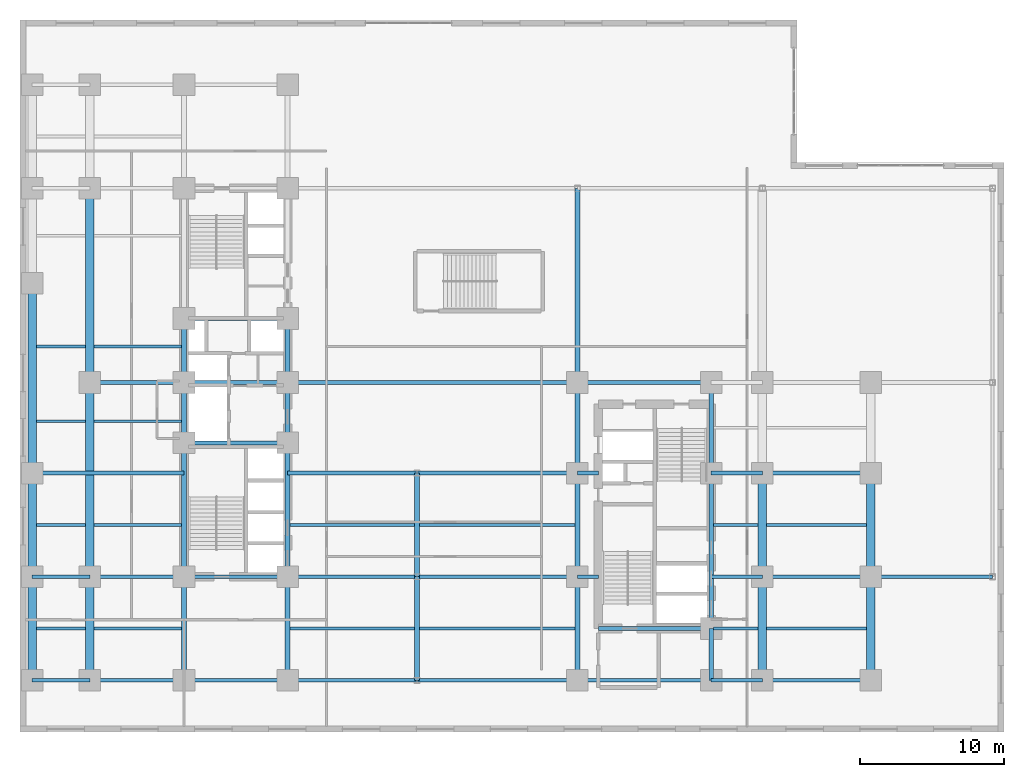
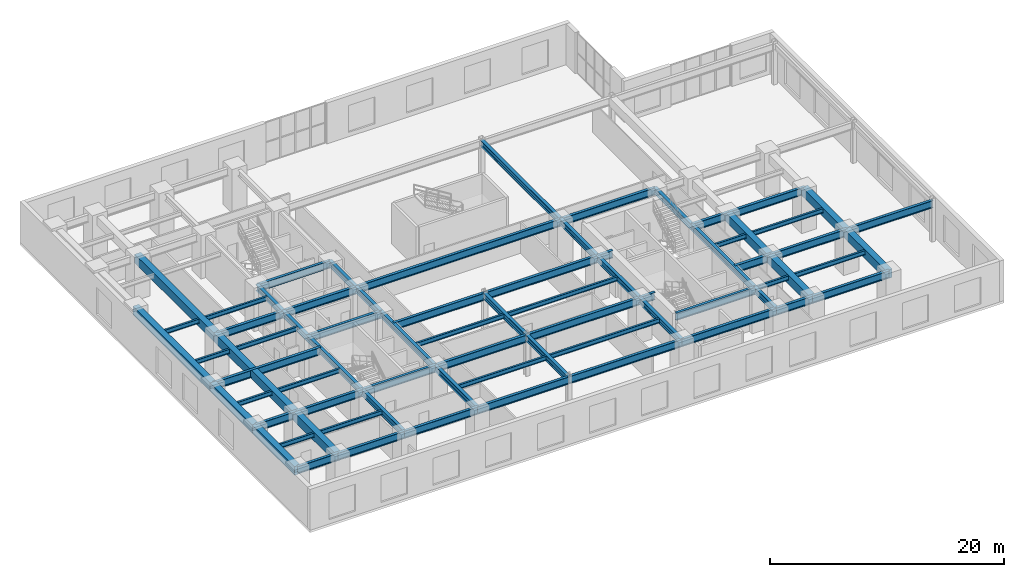
# One storey, part 3 of 15: 73 beams.
"""IFC4 building model written with IfcOpenShell, lengths in metres."""

from ifc_helpers import new_model, entity, si_unit, converted_unit, direction, frame, origin_with_axes, origin_2d_with_axis, place, context, subcontext, project, spatial, rectangle, i_section, extrude, material, material_profile, profile_set, type_object, element, save


model = new_model("IFC4")

# Units and contexts
model_context = context("Model", 3, precision=1e-05, world=origin_with_axes(), true_north=direction((0.0, 1.0)))
body_context = subcontext(model_context, "Body", "Model", "MODEL_VIEW")
ifc_project = project(units=[si_unit("LENGTHUNIT", "METRE"), si_unit("AREAUNIT", "SQUARE_METRE"), si_unit("VOLUMEUNIT", "CUBIC_METRE"), converted_unit("PLANEANGLEUNIT", "DEGREE", entity("IfcPlaneAngleMeasure", 0.017453292519943295), si_unit("PLANEANGLEUNIT", "RADIAN"), dimensions=[0, 0, 0, 0, 0, 0, 0]), si_unit("MASSUNIT", "GRAM", prefix="KILO"), si_unit("THERMODYNAMICTEMPERATUREUNIT", "KELVIN")], contexts=[model_context])

# Site, building, storey
site_placement = place(None, origin_with_axes())
site = spatial("IfcSite", under=ifc_project, at=site_placement, CompositionType="ELEMENT")
building_placement = place(site_placement, origin_with_axes())
building = spatial("IfcBuilding", under=site, at=building_placement, Name="Varnlund Millrace Tower", CompositionType="ELEMENT")
storey_placement = place(building_placement, frame((0.0, 0.0, 10.8), z_axis=(0.0, 0.0, 1.0), x_axis=(1.0, 0.0, 0.0)))
storey = spatial("IfcBuildingStorey", under=building, at=storey_placement, Name="L02", CompositionType="ELEMENT", Elevation=10.8)

# Beams
ifc_material_1 = material(Name="Steel ASTM A992 Grade 50", Category="steel")
ifc_material_profile_1 = material_profile(ifc_material_1, i_section(OverallWidth=0.328, OverallDepth=0.628, WebThickness=0.0165, FlangeThickness=0.0277, FilletRadius=0.018, at=origin_2d_with_axis()), Name="Steel ASTM A992 Grade 50")
ifc_profile_set_1 = profile_set([ifc_material_profile_1], Name="Steel ASTM A992 Grade 50")
beam_type_1 = type_object("IfcBeamType", Name="Type-Girder-W24X146", PredefinedType="USERDEFINED", material=ifc_profile_set_1)
beam_1_placement = place(storey_placement, frame((11.4, 3.6, 3.946), z_axis=(0.0, 1.0, 0.0), x_axis=(-1.0, 0.0, 0.0)))
element("IfcBeam", 1, at=beam_1_placement, inside=storey, type_object=beam_type_1, Name="Type-Girder-W24X146", ObjectType="GIRDER", PredefinedType="USERDEFINED", context=body_context, shape_type="SweptSolid", body=[
    extrude(i_section(OverallWidth=0.328, OverallDepth=0.628, WebThickness=0.0165, FlangeThickness=0.0277, FilletRadius=0.018, at=origin_2d_with_axis()), origin_with_axes(), (0.0, 0.0, 1.0), 7.2),
])
beam_2_placement = place(storey_placement, frame((11.4, 10.8, 3.946), z_axis=(0.0, 1.0, 0.0), x_axis=(-1.0, 0.0, 0.0)))
element("IfcBeam", 2, at=beam_2_placement, inside=storey, type_object=beam_type_1, Name="Type-Girder-W24X146", ObjectType="GIRDER", PredefinedType="USERDEFINED", context=body_context, shape_type="SweptSolid", body=[
    extrude(i_section(OverallWidth=0.328, OverallDepth=0.628, WebThickness=0.0165, FlangeThickness=0.0277, FilletRadius=0.018, at=origin_2d_with_axis()), origin_with_axes(), (0.0, 0.0, 1.0), 9.3),
])
beam_3_placement = place(storey_placement, frame((11.4, 20.1, 3.946), z_axis=(0.0, 1.0, 0.0), x_axis=(-1.0, 0.0, 0.0)))
element("IfcBeam", 3, at=beam_3_placement, inside=storey, type_object=beam_type_1, Name="Type-Girder-W24X146", ObjectType="GIRDER", PredefinedType="USERDEFINED", context=body_context, shape_type="SweptSolid", body=[
    extrude(i_section(OverallWidth=0.328, OverallDepth=0.628, WebThickness=0.0165, FlangeThickness=0.0277, FilletRadius=0.018, at=origin_2d_with_axis()), origin_with_axes(), (0.0, 0.0, 1.0), 4.2),
])
beam_4_placement = place(storey_placement, frame((11.4, 24.3, 3.946), z_axis=(0.0, 1.0, 0.0), x_axis=(-1.0, 0.0, 0.0)))
element("IfcBeam", 4, at=beam_4_placement, inside=storey, type_object=beam_type_1, Name="Type-Girder-W24X146", ObjectType="GIRDER", PredefinedType="USERDEFINED", context=body_context, shape_type="SweptSolid", body=[
    extrude(i_section(OverallWidth=0.328, OverallDepth=0.628, WebThickness=0.0165, FlangeThickness=0.0277, FilletRadius=0.018, at=origin_2d_with_axis()), origin_with_axes(), (0.0, 0.0, 1.0), 4.45),
])
beam_5_placement = place(storey_placement, frame((18.6, 3.6, 3.946), z_axis=(0.0, 1.0, 0.0), x_axis=(-1.0, 0.0, 0.0)))
element("IfcBeam", 5, at=beam_5_placement, inside=storey, type_object=beam_type_1, Name="Type-Girder-W24X146", ObjectType="GIRDER", PredefinedType="USERDEFINED", context=body_context, shape_type="SweptSolid", body=[
    extrude(i_section(OverallWidth=0.328, OverallDepth=0.628, WebThickness=0.0165, FlangeThickness=0.0277, FilletRadius=0.018, at=origin_2d_with_axis()), origin_with_axes(), (0.0, 0.0, 1.0), 7.2),
])
beam_6_placement = place(storey_placement, frame((18.6, 10.8, 3.946), z_axis=(0.0, 1.0, 0.0), x_axis=(-1.0, 0.0, 0.0)))
element("IfcBeam", 6, at=beam_6_placement, inside=storey, type_object=beam_type_1, Name="Type-Girder-W24X146", ObjectType="GIRDER", PredefinedType="USERDEFINED", context=body_context, shape_type="SweptSolid", body=[
    extrude(i_section(OverallWidth=0.328, OverallDepth=0.628, WebThickness=0.0165, FlangeThickness=0.0277, FilletRadius=0.018, at=origin_2d_with_axis()), origin_with_axes(), (0.0, 0.0, 1.0), 9.3),
])
beam_7_placement = place(storey_placement, frame((18.6, 20.1, 3.946), z_axis=(0.0, 1.0, 0.0), x_axis=(-1.0, 0.0, 0.0)))
element("IfcBeam", 7, at=beam_7_placement, inside=storey, type_object=beam_type_1, Name="Type-Girder-W24X146", ObjectType="GIRDER", PredefinedType="USERDEFINED", context=body_context, shape_type="SweptSolid", body=[
    extrude(i_section(OverallWidth=0.328, OverallDepth=0.628, WebThickness=0.0165, FlangeThickness=0.0277, FilletRadius=0.018, at=origin_2d_with_axis()), origin_with_axes(), (0.0, 0.0, 1.0), 4.2),
])
beam_8_placement = place(storey_placement, frame((18.6, 24.3, 3.946), z_axis=(0.0, 1.0, 0.0), x_axis=(-1.0, 0.0, 0.0)))
element("IfcBeam", 8, at=beam_8_placement, inside=storey, type_object=beam_type_1, Name="Type-Girder-W24X146", ObjectType="GIRDER", PredefinedType="USERDEFINED", context=body_context, shape_type="SweptSolid", body=[
    extrude(i_section(OverallWidth=0.328, OverallDepth=0.628, WebThickness=0.0165, FlangeThickness=0.0277, FilletRadius=0.018, at=origin_2d_with_axis()), origin_with_axes(), (0.0, 0.0, 1.0), 4.45),
])
for number, where, z_axis, x_axis, name in (
    (9, (27.6, 3.6, 3.946), (0.0, 1.0, 0.0), (-1.0, 0.0, 0.0), "Type-Girder-W24X146"),
    (10, (27.6, 10.8, 3.946), (0.0, 1.0, 0.0), (-1.0, 0.0, 0.0), "Type-Girder-W24X146"),
    (11, (38.75, 3.6, 3.946), (0.0, 1.0, 0.0), (-1.0, 0.0, 0.0), "Type-Girder-W24X146"),
    (12, (38.75, 10.8, 3.946), (0.0, 1.0, 0.0), (-1.0, 0.0, 0.0), "Type-Girder-W24X146"),
):
    element("IfcBeam", number, at=place(storey_placement, frame(where, z_axis=z_axis, x_axis=x_axis)), inside=storey, type_object=beam_type_1, Name=name, ObjectType="GIRDER", PredefinedType="USERDEFINED", context=body_context, shape_type="SweptSolid", body=[
        extrude(i_section(OverallWidth=0.328, OverallDepth=0.628, WebThickness=0.0165, FlangeThickness=0.0277, FilletRadius=0.018, at=origin_2d_with_axis()), origin_with_axes(), (0.0, 0.0, 1.0), 7.2),
    ])
beam_9_placement = place(storey_placement, frame((38.75, 18.0, 3.946), z_axis=(0.0, 1.0, 0.0), x_axis=(-1.0, 0.0, 0.0)))
element("IfcBeam", 13, at=beam_9_placement, inside=storey, type_object=beam_type_1, Name="Type-Girder-W24X146", ObjectType="GIRDER", PredefinedType="USERDEFINED", context=body_context, shape_type="SweptSolid", body=[
    extrude(i_section(OverallWidth=0.328, OverallDepth=0.628, WebThickness=0.0165, FlangeThickness=0.0277, FilletRadius=0.018, at=origin_2d_with_axis()), origin_with_axes(), (0.0, 0.0, 1.0), 6.3),
])
beam_10_placement = place(storey_placement, frame((38.75, 24.3, 3.946), z_axis=(0.0, 1.0, 0.0), x_axis=(-1.0, 0.0, 0.0)))
element("IfcBeam", 14, at=beam_10_placement, inside=storey, type_object=beam_type_1, Name="Type-Girder-W24X146", ObjectType="GIRDER", PredefinedType="USERDEFINED", context=body_context, shape_type="SweptSolid", body=[
    extrude(i_section(OverallWidth=0.328, OverallDepth=0.628, WebThickness=0.0165, FlangeThickness=0.0277, FilletRadius=0.018, at=origin_2d_with_axis()), origin_with_axes(), (0.0, 0.0, 1.0), 13.5),
])
beam_11_placement = place(storey_placement, frame((48.05, 3.6, 3.946), z_axis=(0.0, 1.0, 0.0), x_axis=(-1.0, 0.0, 0.0)))
element("IfcBeam", 15, at=beam_11_placement, inside=storey, type_object=beam_type_1, Name="Type-Girder-W24X146", ObjectType="GIRDER", PredefinedType="USERDEFINED", context=body_context, shape_type="SweptSolid", body=[
    extrude(i_section(OverallWidth=0.328, OverallDepth=0.628, WebThickness=0.0165, FlangeThickness=0.0277, FilletRadius=0.018, at=origin_2d_with_axis()), origin_with_axes(), (0.0, 0.0, 1.0), 3.6),
])
beam_12_placement = place(storey_placement, frame((48.05, 7.2, 3.946), z_axis=(0.0, 1.0, 0.0), x_axis=(-1.0, 0.0, 0.0)))
element("IfcBeam", 16, at=beam_12_placement, inside=storey, type_object=beam_type_1, Name="Type-Girder-W24X146", ObjectType="GIRDER", PredefinedType="USERDEFINED", context=body_context, shape_type="SweptSolid", body=[
    extrude(i_section(OverallWidth=0.328, OverallDepth=0.628, WebThickness=0.0165, FlangeThickness=0.0277, FilletRadius=0.018, at=origin_2d_with_axis()), origin_with_axes(), (0.0, 0.0, 1.0), 10.8),
])
beam_13_placement = place(storey_placement, frame((48.05, 18.0, 3.946), z_axis=(0.0, 1.0, 0.0), x_axis=(-1.0, 0.0, 0.0)))
element("IfcBeam", 17, at=beam_13_placement, inside=storey, type_object=beam_type_1, Name="Type-Girder-W24X146", ObjectType="GIRDER", PredefinedType="USERDEFINED", context=body_context, shape_type="SweptSolid", body=[
    extrude(i_section(OverallWidth=0.328, OverallDepth=0.628, WebThickness=0.0165, FlangeThickness=0.0277, FilletRadius=0.018, at=origin_2d_with_axis()), origin_with_axes(), (0.0, 0.0, 1.0), 6.3),
])
ifc_material_profile_2 = material_profile(ifc_material_1, i_section(OverallWidth=0.266, OverallDepth=0.779, WebThickness=0.0165, FlangeThickness=0.03, FilletRadius=0.02, at=origin_2d_with_axis()), Name="Steel ASTM A992 Grade 50")
ifc_profile_set_2 = profile_set([ifc_material_profile_2], Name="Steel ASTM A992 Grade 50")
beam_type_2 = type_object("IfcBeamType", Name="Type-Girder-W30X148", PredefinedType="USERDEFINED", material=ifc_profile_set_2)
beam_14_placement = place(storey_placement, frame((0.85, 3.6, 3.8705), z_axis=(1.0, 0.0, 0.0), x_axis=(0.0, 1.0, 0.0)))
element("IfcBeam", 18, at=beam_14_placement, inside=storey, type_object=beam_type_2, Name="Type-Girder-W30X148", ObjectType="GIRDER", PredefinedType="USERDEFINED", context=body_context, shape_type="SweptSolid", body=[
    extrude(i_section(OverallWidth=0.266, OverallDepth=0.779, WebThickness=0.0165, FlangeThickness=0.03, FilletRadius=0.02, at=origin_2d_with_axis()), origin_with_axes(), (0.0, 0.0, 1.0), 4.0),
])
beam_15_placement = place(storey_placement, frame((4.85, 3.6, 3.8705), z_axis=(1.0, 0.0, 0.0), x_axis=(0.0, 1.0, 0.0)))
element("IfcBeam", 19, at=beam_15_placement, inside=storey, type_object=beam_type_2, Name="Type-Girder-W30X148", ObjectType="GIRDER", PredefinedType="USERDEFINED", context=body_context, shape_type="SweptSolid", body=[
    extrude(i_section(OverallWidth=0.266, OverallDepth=0.779, WebThickness=0.0165, FlangeThickness=0.03, FilletRadius=0.02, at=origin_2d_with_axis()), origin_with_axes(), (0.0, 0.0, 1.0), 6.55),
])
beam_16_placement = place(storey_placement, frame((11.4, 3.6, 3.8705), z_axis=(1.0, 0.0, 0.0), x_axis=(0.0, 1.0, 0.0)))
element("IfcBeam", 20, at=beam_16_placement, inside=storey, type_object=beam_type_2, Name="Type-Girder-W30X148", ObjectType="GIRDER", PredefinedType="USERDEFINED", context=body_context, shape_type="SweptSolid", body=[
    extrude(i_section(OverallWidth=0.266, OverallDepth=0.779, WebThickness=0.0165, FlangeThickness=0.03, FilletRadius=0.02, at=origin_2d_with_axis()), origin_with_axes(), (0.0, 0.0, 1.0), 7.2),
])
beam_17_placement = place(storey_placement, frame((18.6, 3.6, 3.8705), z_axis=(1.0, 0.0, 0.0), x_axis=(0.0, 1.0, 0.0)))
element("IfcBeam", 21, at=beam_17_placement, inside=storey, type_object=beam_type_2, Name="Type-Girder-W30X148", ObjectType="GIRDER", PredefinedType="USERDEFINED", context=body_context, shape_type="SweptSolid", body=[
    extrude(i_section(OverallWidth=0.266, OverallDepth=0.779, WebThickness=0.0165, FlangeThickness=0.03, FilletRadius=0.02, at=origin_2d_with_axis()), origin_with_axes(), (0.0, 0.0, 1.0), 9.0),
])
beam_18_placement = place(storey_placement, frame((27.6, 3.6, 3.8705), z_axis=(1.0, 0.0, 0.0), x_axis=(0.0, 1.0, 0.0)))
element("IfcBeam", 22, at=beam_18_placement, inside=storey, type_object=beam_type_2, Name="Type-Girder-W30X148", ObjectType="GIRDER", PredefinedType="USERDEFINED", context=body_context, shape_type="SweptSolid", body=[
    extrude(i_section(OverallWidth=0.266, OverallDepth=0.779, WebThickness=0.0165, FlangeThickness=0.03, FilletRadius=0.02, at=origin_2d_with_axis()), origin_with_axes(), (0.0, 0.0, 1.0), 11.15),
])
beam_19_placement = place(storey_placement, frame((38.75, 3.6, 3.8705), z_axis=(1.0, 0.0, 0.0), x_axis=(0.0, 1.0, 0.0)))
element("IfcBeam", 23, at=beam_19_placement, inside=storey, type_object=beam_type_2, Name="Type-Girder-W30X148", ObjectType="GIRDER", PredefinedType="USERDEFINED", context=body_context, shape_type="SweptSolid", body=[
    extrude(i_section(OverallWidth=0.266, OverallDepth=0.779, WebThickness=0.0165, FlangeThickness=0.03, FilletRadius=0.02, at=origin_2d_with_axis()), origin_with_axes(), (0.0, 0.0, 1.0), 9.3),
])
beam_20_placement = place(storey_placement, frame((48.05, 3.6, 3.8705), z_axis=(1.0, 0.0, 0.0), x_axis=(0.0, 1.0, 0.0)))
element("IfcBeam", 24, at=beam_20_placement, inside=storey, type_object=beam_type_2, Name="Type-Girder-W30X148", ObjectType="GIRDER", PredefinedType="USERDEFINED", context=body_context, shape_type="SweptSolid", body=[
    extrude(i_section(OverallWidth=0.266, OverallDepth=0.779, WebThickness=0.0165, FlangeThickness=0.03, FilletRadius=0.02, at=origin_2d_with_axis()), origin_with_axes(), (0.0, 0.0, 1.0), 3.55),
])
beam_21_placement = place(storey_placement, frame((51.6, 3.6, 3.8705), z_axis=(1.0, 0.0, 0.0), x_axis=(0.0, 1.0, 0.0)))
element("IfcBeam", 25, at=beam_21_placement, inside=storey, type_object=beam_type_2, Name="Type-Girder-W30X148", ObjectType="GIRDER", PredefinedType="USERDEFINED", context=body_context, shape_type="SweptSolid", body=[
    extrude(i_section(OverallWidth=0.266, OverallDepth=0.779, WebThickness=0.0165, FlangeThickness=0.03, FilletRadius=0.02, at=origin_2d_with_axis()), origin_with_axes(), (0.0, 0.0, 1.0), 7.55),
])
beam_22_placement = place(storey_placement, frame((40.2, 7.2, 3.8705), z_axis=(1.0, 0.0, 0.0), x_axis=(0.0, 1.0, 0.0)))
element("IfcBeam", 26, at=beam_22_placement, inside=storey, type_object=beam_type_2, Name="Type-Girder-W30X148", ObjectType="GIRDER", PredefinedType="USERDEFINED", context=body_context, shape_type="SweptSolid", body=[
    extrude(i_section(OverallWidth=0.266, OverallDepth=0.779, WebThickness=0.0165, FlangeThickness=0.03, FilletRadius=0.02, at=origin_2d_with_axis()), origin_with_axes(), (0.0, 0.0, 1.0), 7.85),
])
beam_23_placement = place(storey_placement, frame((0.85, 10.8, 3.8705), z_axis=(1.0, 0.0, 0.0), x_axis=(0.0, 1.0, 0.0)))
element("IfcBeam", 27, at=beam_23_placement, inside=storey, type_object=beam_type_2, Name="Type-Girder-W30X148", ObjectType="GIRDER", PredefinedType="USERDEFINED", context=body_context, shape_type="SweptSolid", body=[
    extrude(i_section(OverallWidth=0.266, OverallDepth=0.779, WebThickness=0.0165, FlangeThickness=0.03, FilletRadius=0.02, at=origin_2d_with_axis()), origin_with_axes(), (0.0, 0.0, 1.0), 4.0),
])
beam_24_placement = place(storey_placement, frame((4.85, 10.8, 3.8705), z_axis=(1.0, 0.0, 0.0), x_axis=(0.0, 1.0, 0.0)))
element("IfcBeam", 28, at=beam_24_placement, inside=storey, type_object=beam_type_2, Name="Type-Girder-W30X148", ObjectType="GIRDER", PredefinedType="USERDEFINED", context=body_context, shape_type="SweptSolid", body=[
    extrude(i_section(OverallWidth=0.266, OverallDepth=0.779, WebThickness=0.0165, FlangeThickness=0.03, FilletRadius=0.02, at=origin_2d_with_axis()), origin_with_axes(), (0.0, 0.0, 1.0), 6.55),
])
beam_25_placement = place(storey_placement, frame((11.4, 10.8, 3.8705), z_axis=(1.0, 0.0, 0.0), x_axis=(0.0, 1.0, 0.0)))
element("IfcBeam", 29, at=beam_25_placement, inside=storey, type_object=beam_type_2, Name="Type-Girder-W30X148", ObjectType="GIRDER", PredefinedType="USERDEFINED", context=body_context, shape_type="SweptSolid", body=[
    extrude(i_section(OverallWidth=0.266, OverallDepth=0.779, WebThickness=0.0165, FlangeThickness=0.03, FilletRadius=0.02, at=origin_2d_with_axis()), origin_with_axes(), (0.0, 0.0, 1.0), 7.2),
])
beam_26_placement = place(storey_placement, frame((18.6, 10.8, 3.8705), z_axis=(1.0, 0.0, 0.0), x_axis=(0.0, 1.0, 0.0)))
element("IfcBeam", 30, at=beam_26_placement, inside=storey, type_object=beam_type_2, Name="Type-Girder-W30X148", ObjectType="GIRDER", PredefinedType="USERDEFINED", context=body_context, shape_type="SweptSolid", body=[
    extrude(i_section(OverallWidth=0.266, OverallDepth=0.779, WebThickness=0.0165, FlangeThickness=0.03, FilletRadius=0.02, at=origin_2d_with_axis()), origin_with_axes(), (0.0, 0.0, 1.0), 9.0),
])
beam_27_placement = place(storey_placement, frame((27.6, 10.8, 3.8705), z_axis=(1.0, 0.0, 0.0), x_axis=(0.0, 1.0, 0.0)))
element("IfcBeam", 31, at=beam_27_placement, inside=storey, type_object=beam_type_2, Name="Type-Girder-W30X148", ObjectType="GIRDER", PredefinedType="USERDEFINED", context=body_context, shape_type="SweptSolid", body=[
    extrude(i_section(OverallWidth=0.266, OverallDepth=0.779, WebThickness=0.0165, FlangeThickness=0.03, FilletRadius=0.02, at=origin_2d_with_axis()), origin_with_axes(), (0.0, 0.0, 1.0), 11.15),
])
beam_28_placement = place(storey_placement, frame((38.75, 10.8, 3.8705), z_axis=(1.0, 0.0, 0.0), x_axis=(0.0, 1.0, 0.0)))
element("IfcBeam", 32, at=beam_28_placement, inside=storey, type_object=beam_type_2, Name="Type-Girder-W30X148", ObjectType="GIRDER", PredefinedType="USERDEFINED", context=body_context, shape_type="SweptSolid", body=[
    extrude(i_section(OverallWidth=0.266, OverallDepth=0.779, WebThickness=0.0165, FlangeThickness=0.03, FilletRadius=0.02, at=origin_2d_with_axis()), origin_with_axes(), (0.0, 0.0, 1.0), 1.45),
])
beam_29_placement = place(storey_placement, frame((48.05, 10.8, 3.8705), z_axis=(1.0, 0.0, 0.0), x_axis=(0.0, 1.0, 0.0)))
element("IfcBeam", 33, at=beam_29_placement, inside=storey, type_object=beam_type_2, Name="Type-Girder-W30X148", ObjectType="GIRDER", PredefinedType="USERDEFINED", context=body_context, shape_type="SweptSolid", body=[
    extrude(i_section(OverallWidth=0.266, OverallDepth=0.779, WebThickness=0.0165, FlangeThickness=0.03, FilletRadius=0.02, at=origin_2d_with_axis()), origin_with_axes(), (0.0, 0.0, 1.0), 3.55),
])
beam_30_placement = place(storey_placement, frame((51.6, 10.8, 3.8705), z_axis=(1.0, 0.0, 0.0), x_axis=(0.0, 1.0, 0.0)))
element("IfcBeam", 34, at=beam_30_placement, inside=storey, type_object=beam_type_2, Name="Type-Girder-W30X148", ObjectType="GIRDER", PredefinedType="USERDEFINED", context=body_context, shape_type="SweptSolid", body=[
    extrude(i_section(OverallWidth=0.266, OverallDepth=0.779, WebThickness=0.0165, FlangeThickness=0.03, FilletRadius=0.02, at=origin_2d_with_axis()), origin_with_axes(), (0.0, 0.0, 1.0), 7.55),
])
beam_31_placement = place(storey_placement, frame((59.15, 10.8, 3.8705), z_axis=(1.0, 0.0, 0.0), x_axis=(0.0, 1.0, 0.0)))
element("IfcBeam", 35, at=beam_31_placement, inside=storey, type_object=beam_type_2, Name="Type-Girder-W30X148", ObjectType="GIRDER", PredefinedType="USERDEFINED", context=body_context, shape_type="SweptSolid", body=[
    extrude(i_section(OverallWidth=0.266, OverallDepth=0.779, WebThickness=0.0165, FlangeThickness=0.03, FilletRadius=0.02, at=origin_2d_with_axis()), origin_with_axes(), (0.0, 0.0, 1.0), 8.45),
])
beam_32_placement = place(storey_placement, frame((0.85, 18.0, 3.8705), z_axis=(1.0, 0.0, 0.0), x_axis=(0.0, 1.0, 0.0)))
element("IfcBeam", 36, at=beam_32_placement, inside=storey, type_object=beam_type_2, Name="Type-Girder-W30X148", ObjectType="GIRDER", PredefinedType="USERDEFINED", context=body_context, shape_type="SweptSolid", body=[
    extrude(i_section(OverallWidth=0.266, OverallDepth=0.779, WebThickness=0.0165, FlangeThickness=0.03, FilletRadius=0.02, at=origin_2d_with_axis()), origin_with_axes(), (0.0, 0.0, 1.0), 10.55),
])
beam_33_placement = place(storey_placement, frame((18.6, 18.0, 3.8705), z_axis=(1.0, 0.0, 0.0), x_axis=(0.0, 1.0, 0.0)))
element("IfcBeam", 37, at=beam_33_placement, inside=storey, type_object=beam_type_2, Name="Type-Girder-W30X148", ObjectType="GIRDER", PredefinedType="USERDEFINED", context=body_context, shape_type="SweptSolid", body=[
    extrude(i_section(OverallWidth=0.266, OverallDepth=0.779, WebThickness=0.0165, FlangeThickness=0.03, FilletRadius=0.02, at=origin_2d_with_axis()), origin_with_axes(), (0.0, 0.0, 1.0), 9.0),
])
beam_34_placement = place(storey_placement, frame((27.6, 18.0, 3.8705), z_axis=(1.0, 0.0, 0.0), x_axis=(0.0, 1.0, 0.0)))
element("IfcBeam", 38, at=beam_34_placement, inside=storey, type_object=beam_type_2, Name="Type-Girder-W30X148", ObjectType="GIRDER", PredefinedType="USERDEFINED", context=body_context, shape_type="SweptSolid", body=[
    extrude(i_section(OverallWidth=0.266, OverallDepth=0.779, WebThickness=0.0165, FlangeThickness=0.03, FilletRadius=0.02, at=origin_2d_with_axis()), origin_with_axes(), (0.0, 0.0, 1.0), 11.15),
])
beam_35_placement = place(storey_placement, frame((38.75, 18.0, 3.8705), z_axis=(1.0, 0.0, 0.0), x_axis=(0.0, 1.0, 0.0)))
element("IfcBeam", 39, at=beam_35_placement, inside=storey, type_object=beam_type_2, Name="Type-Girder-W30X148", ObjectType="GIRDER", PredefinedType="USERDEFINED", context=body_context, shape_type="SweptSolid", body=[
    extrude(i_section(OverallWidth=0.266, OverallDepth=0.779, WebThickness=0.0165, FlangeThickness=0.03, FilletRadius=0.02, at=origin_2d_with_axis()), origin_with_axes(), (0.0, 0.0, 1.0), 1.45),
])
beam_36_placement = place(storey_placement, frame((48.05, 18.0, 3.8705), z_axis=(1.0, 0.0, 0.0), x_axis=(0.0, 1.0, 0.0)))
element("IfcBeam", 40, at=beam_36_placement, inside=storey, type_object=beam_type_2, Name="Type-Girder-W30X148", ObjectType="GIRDER", PredefinedType="USERDEFINED", context=body_context, shape_type="SweptSolid", body=[
    extrude(i_section(OverallWidth=0.266, OverallDepth=0.779, WebThickness=0.0165, FlangeThickness=0.03, FilletRadius=0.02, at=origin_2d_with_axis()), origin_with_axes(), (0.0, 0.0, 1.0), 3.55),
])
beam_37_placement = place(storey_placement, frame((51.6, 18.0, 3.8705), z_axis=(1.0, 0.0, 0.0), x_axis=(0.0, 1.0, 0.0)))
element("IfcBeam", 41, at=beam_37_placement, inside=storey, type_object=beam_type_2, Name="Type-Girder-W30X148", ObjectType="GIRDER", PredefinedType="USERDEFINED", context=body_context, shape_type="SweptSolid", body=[
    extrude(i_section(OverallWidth=0.266, OverallDepth=0.779, WebThickness=0.0165, FlangeThickness=0.03, FilletRadius=0.02, at=origin_2d_with_axis()), origin_with_axes(), (0.0, 0.0, 1.0), 7.55),
])
beam_38_placement = place(storey_placement, frame((11.4, 20.1, 3.8705), z_axis=(1.0, 0.0, 0.0), x_axis=(0.0, 1.0, 0.0)))
element("IfcBeam", 42, at=beam_38_placement, inside=storey, type_object=beam_type_2, Name="Type-Girder-W30X148", ObjectType="GIRDER", PredefinedType="USERDEFINED", context=body_context, shape_type="SweptSolid", body=[
    extrude(i_section(OverallWidth=0.266, OverallDepth=0.779, WebThickness=0.0165, FlangeThickness=0.03, FilletRadius=0.02, at=origin_2d_with_axis()), origin_with_axes(), (0.0, 0.0, 1.0), 7.2),
])
beam_39_placement = place(storey_placement, frame((4.85, 24.3, 3.8705), z_axis=(1.0, 0.0, 0.0), x_axis=(0.0, 1.0, 0.0)))
element("IfcBeam", 43, at=beam_39_placement, inside=storey, type_object=beam_type_2, Name="Type-Girder-W30X148", ObjectType="GIRDER", PredefinedType="USERDEFINED", context=body_context, shape_type="SweptSolid", body=[
    extrude(i_section(OverallWidth=0.266, OverallDepth=0.779, WebThickness=0.0165, FlangeThickness=0.03, FilletRadius=0.02, at=origin_2d_with_axis()), origin_with_axes(), (0.0, 0.0, 1.0), 6.55),
])
beam_40_placement = place(storey_placement, frame((11.4, 24.3, 3.8705), z_axis=(1.0, 0.0, 0.0), x_axis=(0.0, 1.0, 0.0)))
element("IfcBeam", 44, at=beam_40_placement, inside=storey, type_object=beam_type_2, Name="Type-Girder-W30X148", ObjectType="GIRDER", PredefinedType="USERDEFINED", context=body_context, shape_type="SweptSolid", body=[
    extrude(i_section(OverallWidth=0.266, OverallDepth=0.779, WebThickness=0.0165, FlangeThickness=0.03, FilletRadius=0.02, at=origin_2d_with_axis()), origin_with_axes(), (0.0, 0.0, 1.0), 7.2),
])
beam_41_placement = place(storey_placement, frame((18.6, 24.3, 3.8705), z_axis=(1.0, 0.0, 0.0), x_axis=(0.0, 1.0, 0.0)))
element("IfcBeam", 45, at=beam_41_placement, inside=storey, type_object=beam_type_2, Name="Type-Girder-W30X148", ObjectType="GIRDER", PredefinedType="USERDEFINED", context=body_context, shape_type="SweptSolid", body=[
    extrude(i_section(OverallWidth=0.266, OverallDepth=0.779, WebThickness=0.0165, FlangeThickness=0.03, FilletRadius=0.02, at=origin_2d_with_axis()), origin_with_axes(), (0.0, 0.0, 1.0), 20.15),
])
beam_42_placement = place(storey_placement, frame((38.75, 24.3, 3.8705), z_axis=(1.0, 0.0, 0.0), x_axis=(0.0, 1.0, 0.0)))
element("IfcBeam", 46, at=beam_42_placement, inside=storey, type_object=beam_type_2, Name="Type-Girder-W30X148", ObjectType="GIRDER", PredefinedType="USERDEFINED", context=body_context, shape_type="SweptSolid", body=[
    extrude(i_section(OverallWidth=0.266, OverallDepth=0.779, WebThickness=0.0165, FlangeThickness=0.03, FilletRadius=0.02, at=origin_2d_with_axis()), origin_with_axes(), (0.0, 0.0, 1.0), 9.3),
])
beam_43_placement = place(storey_placement, frame((11.4, 28.75, 3.8705), z_axis=(1.0, 0.0, 0.0), x_axis=(0.0, 1.0, 0.0)))
element("IfcBeam", 47, at=beam_43_placement, inside=storey, type_object=beam_type_2, Name="Type-Girder-W30X148", ObjectType="GIRDER", PredefinedType="USERDEFINED", context=body_context, shape_type="SweptSolid", body=[
    extrude(i_section(OverallWidth=0.266, OverallDepth=0.779, WebThickness=0.0165, FlangeThickness=0.03, FilletRadius=0.02, at=origin_2d_with_axis()), origin_with_axes(), (0.0, 0.0, 1.0), 7.2),
])
ifc_material_profile_3 = material_profile(ifc_material_1, i_section(OverallWidth=0.191, OverallDepth=0.457, WebThickness=0.009, FlangeThickness=0.0145, FilletRadius=0.013, at=origin_2d_with_axis()), Name="Steel ASTM A992 Grade 50")
ifc_profile_set_3 = profile_set([ifc_material_profile_3], Name="Steel ASTM A992 Grade 50")
beam_type_3 = type_object("IfcBeamType", Name="Type-Joist-W18X50", PredefinedType="JOIST", material=ifc_profile_set_3)
for number, where, z_axis, x_axis, name in (
    (48, (1.15, 7.2, 4.0315), (1.0, 0.0, 0.0), (0.0, 1.0, 0.0), "Type-Joist-W18X50"),
    (49, (1.15, 14.4, 4.0315), (1.0, 0.0, 0.0), (0.0, 1.0, 0.0), "Type-Joist-W18X50"),
    (50, (1.15, 21.6, 4.0315), (1.0, 0.0, 0.0), (0.0, 1.0, 0.0), "Type-Joist-W18X50"),
    (51, (1.15, 26.8, 4.0315), (1.0, 0.0, 0.0), (0.0, 1.0, 0.0), "Type-Joist-W18X50"),
):
    element("IfcBeam", number, at=place(storey_placement, frame(where, z_axis=z_axis, x_axis=x_axis)), inside=storey, type_object=beam_type_3, Name=name, PredefinedType="JOIST", context=body_context, shape_type="SweptSolid", body=[
        extrude(i_section(OverallWidth=0.191, OverallDepth=0.457, WebThickness=0.009, FlangeThickness=0.0145, FilletRadius=0.013, at=origin_2d_with_axis()), origin_with_axes(), (0.0, 0.0, 1.0), 3.4),
    ])
for number, where, z_axis, x_axis, name in (
    (52, (5.15, 7.2, 4.0315), (1.0, 0.0, 0.0), (0.0, 1.0, 0.0), "Type-Joist-W18X50"),
    (53, (5.15, 14.4, 4.0315), (1.0, 0.0, 0.0), (0.0, 1.0, 0.0), "Type-Joist-W18X50"),
    (54, (5.15, 21.6, 4.0315), (1.0, 0.0, 0.0), (0.0, 1.0, 0.0), "Type-Joist-W18X50"),
    (55, (5.15, 26.8, 4.0315), (1.0, 0.0, 0.0), (0.0, 1.0, 0.0), "Type-Joist-W18X50"),
):
    element("IfcBeam", number, at=place(storey_placement, frame(where, z_axis=z_axis, x_axis=x_axis)), inside=storey, type_object=beam_type_3, Name=name, PredefinedType="JOIST", context=body_context, shape_type="SweptSolid", body=[
        extrude(i_section(OverallWidth=0.191, OverallDepth=0.457, WebThickness=0.009, FlangeThickness=0.0145, FilletRadius=0.013, at=origin_2d_with_axis()), origin_with_axes(), (0.0, 0.0, 1.0), 6.086),
    ])
for number, where, z_axis, x_axis, name in (
    (56, (48.214, 7.2, 4.0315), (1.0, 0.0, 0.0), (0.0, 1.0, 0.0), "Type-Joist-W18X50"),
    (57, (48.214, 14.4, 4.0315), (1.0, 0.0, 0.0), (0.0, 1.0, 0.0), "Type-Joist-W18X50"),
):
    element("IfcBeam", number, at=place(storey_placement, frame(where, z_axis=z_axis, x_axis=x_axis)), inside=storey, type_object=beam_type_3, Name=name, PredefinedType="JOIST", context=body_context, shape_type="SweptSolid", body=[
        extrude(i_section(OverallWidth=0.191, OverallDepth=0.457, WebThickness=0.009, FlangeThickness=0.0145, FilletRadius=0.013, at=origin_2d_with_axis()), origin_with_axes(), (0.0, 0.0, 1.0), 3.086),
    ])
for number, where, z_axis, x_axis, name in (
    (58, (51.9, 7.2, 4.0315), (1.0, 0.0, 0.0), (0.0, 1.0, 0.0), "Type-Joist-W18X50"),
    (59, (51.9, 14.4, 4.0315), (1.0, 0.0, 0.0), (0.0, 1.0, 0.0), "Type-Joist-W18X50"),
):
    element("IfcBeam", number, at=place(storey_placement, frame(where, z_axis=z_axis, x_axis=x_axis)), inside=storey, type_object=beam_type_3, Name=name, PredefinedType="JOIST", context=body_context, shape_type="SweptSolid", body=[
        extrude(i_section(OverallWidth=0.191, OverallDepth=0.457, WebThickness=0.009, FlangeThickness=0.0145, FilletRadius=0.013, at=origin_2d_with_axis()), origin_with_axes(), (0.0, 0.0, 1.0), 6.95),
    ])
for number, where, z_axis, x_axis, name in (
    (60, (18.764, 7.2, 4.0315), (1.0, 0.0, 0.0), (0.0, 1.0, 0.0), "Type-Joist-W18X50"),
    (61, (18.764, 14.4, 4.0315), (1.0, 0.0, 0.0), (0.0, 1.0, 0.0), "Type-Joist-W18X50"),
):
    element("IfcBeam", number, at=place(storey_placement, frame(where, z_axis=z_axis, x_axis=x_axis)), inside=storey, type_object=beam_type_3, Name=name, PredefinedType="JOIST", context=body_context, shape_type="SweptSolid", body=[
        extrude(i_section(OverallWidth=0.191, OverallDepth=0.457, WebThickness=0.009, FlangeThickness=0.0145, FilletRadius=0.013, at=origin_2d_with_axis()), origin_with_axes(), (0.0, 0.0, 1.0), 8.672),
    ])
for number, where, z_axis, x_axis, name in (
    (62, (27.764, 7.2, 4.0315), (1.0, 0.0, 0.0), (0.0, 1.0, 0.0), "Type-Joist-W18X50"),
    (63, (27.764, 14.4, 4.0315), (1.0, 0.0, 0.0), (0.0, 1.0, 0.0), "Type-Joist-W18X50"),
):
    element("IfcBeam", number, at=place(storey_placement, frame(where, z_axis=z_axis, x_axis=x_axis)), inside=storey, type_object=beam_type_3, Name=name, PredefinedType="JOIST", context=body_context, shape_type="SweptSolid", body=[
        extrude(i_section(OverallWidth=0.191, OverallDepth=0.457, WebThickness=0.009, FlangeThickness=0.0145, FilletRadius=0.013, at=origin_2d_with_axis()), origin_with_axes(), (0.0, 0.0, 1.0), 10.822),
    ])
ifc_material_2 = material(Name="Concrete C70/85", Category="concrete")
ifc_material_profile_4 = material_profile(ifc_material_2, rectangle(XDim=0.6, YDim=0.9, at=origin_2d_with_axis()), Name="Concrete C70/85")
ifc_profile_set_4 = profile_set([ifc_material_profile_4], Name="Concrete C70/85")
beam_type_4 = type_object("IfcBeamType", Name="Type-Spandrel-RC600X900", PredefinedType="SPANDREL", material=ifc_profile_set_4)
for number, where, z_axis, x_axis, name in (
    (64, (0.85, 3.6, 3.81), (0.0, 1.0, 0.0), (-1.0, 0.0, 0.0), "Type-Spandrel-RC600X900"),
    (65, (0.85, 10.8, 3.81), (0.0, 1.0, 0.0), (-1.0, 0.0, 0.0), "Type-Spandrel-RC600X900"),
):
    element("IfcBeam", number, at=place(storey_placement, frame(where, z_axis=z_axis, x_axis=x_axis)), inside=storey, type_object=beam_type_4, Name=name, PredefinedType="SPANDREL", context=body_context, shape_type="SweptSolid", body=[
        extrude(rectangle(XDim=0.6, YDim=0.9, at=origin_2d_with_axis()), origin_with_axes(), (0.0, 0.0, 1.0), 7.2),
    ])
beam_44_placement = place(storey_placement, frame((0.85, 18.0, 3.81), z_axis=(0.0, 1.0, 0.0), x_axis=(-1.0, 0.0, 0.0)))
element("IfcBeam", 66, at=beam_44_placement, inside=storey, type_object=beam_type_4, Name="Type-Spandrel-RC600X900", PredefinedType="SPANDREL", context=body_context, shape_type="SweptSolid", body=[
    extrude(rectangle(XDim=0.6, YDim=0.9, at=origin_2d_with_axis()), origin_with_axes(), (0.0, 0.0, 1.0), 13.2),
])
beam_45_placement = place(storey_placement, frame((4.85, 3.6, 3.81), z_axis=(0.0, 1.0, 0.0), x_axis=(-1.0, 0.0, 0.0)))
element("IfcBeam", 67, at=beam_45_placement, inside=storey, type_object=beam_type_4, Name="Type-Spandrel-RC600X900", PredefinedType="SPANDREL", context=body_context, shape_type="SweptSolid", body=[
    extrude(rectangle(XDim=0.6, YDim=0.9, at=origin_2d_with_axis()), origin_with_axes(), (0.0, 0.0, 1.0), 7.2),
])
for number, where, z_axis, x_axis, name in (
    (68, (4.85, 10.8, 3.81), (0.0, 1.0, 0.0), (-1.0, 0.0, 0.0), "Type-Spandrel-RC600X900"),
    (69, (4.85, 24.3, 3.81), (0.0, 1.0, 0.0), (-1.0, 0.0, 0.0), "Type-Spandrel-RC600X900"),
):
    element("IfcBeam", number, at=place(storey_placement, frame(where, z_axis=z_axis, x_axis=x_axis)), inside=storey, type_object=beam_type_4, Name=name, PredefinedType="SPANDREL", context=body_context, shape_type="SweptSolid", body=[
        extrude(rectangle(XDim=0.6, YDim=0.9, at=origin_2d_with_axis()), origin_with_axes(), (0.0, 0.0, 1.0), 13.5),
    ])
for number, where, z_axis, x_axis, name in (
    (70, (51.6, 3.6, 3.81), (0.0, 1.0, 0.0), (-1.0, 0.0, 0.0), "Type-Spandrel-RC600X900"),
    (71, (51.6, 10.8, 3.81), (0.0, 1.0, 0.0), (-1.0, 0.0, 0.0), "Type-Spandrel-RC600X900"),
    (72, (59.15, 3.6, 3.81), (0.0, 1.0, 0.0), (-1.0, 0.0, 0.0), "Type-Spandrel-RC600X900"),
    (73, (59.15, 10.8, 3.81), (0.0, 1.0, 0.0), (-1.0, 0.0, 0.0), "Type-Spandrel-RC600X900"),
):
    element("IfcBeam", number, at=place(storey_placement, frame(where, z_axis=z_axis, x_axis=x_axis)), inside=storey, type_object=beam_type_4, Name=name, PredefinedType="SPANDREL", context=body_context, shape_type="SweptSolid", body=[
        extrude(rectangle(XDim=0.6, YDim=0.9, at=origin_2d_with_axis()), origin_with_axes(), (0.0, 0.0, 1.0), 7.2),
    ])

save(model, "model.ifc")
